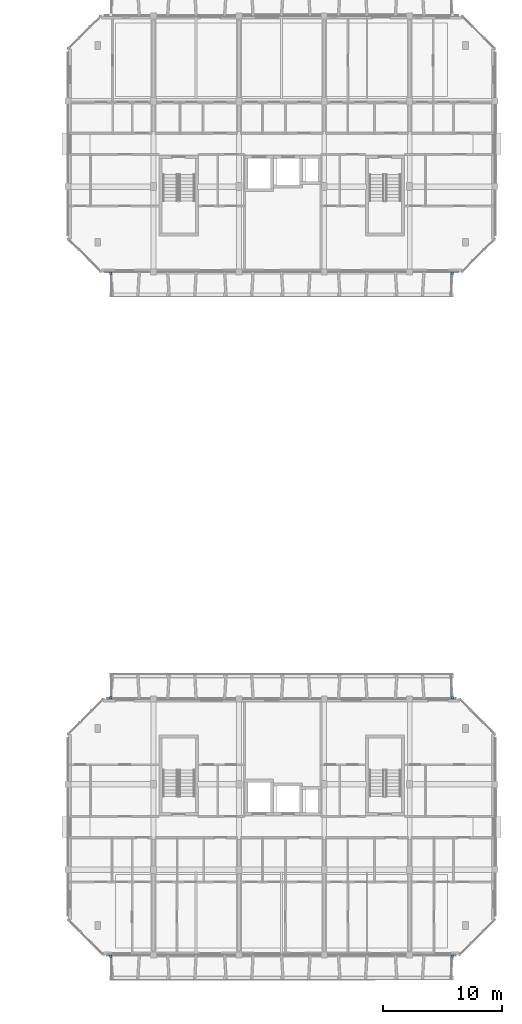
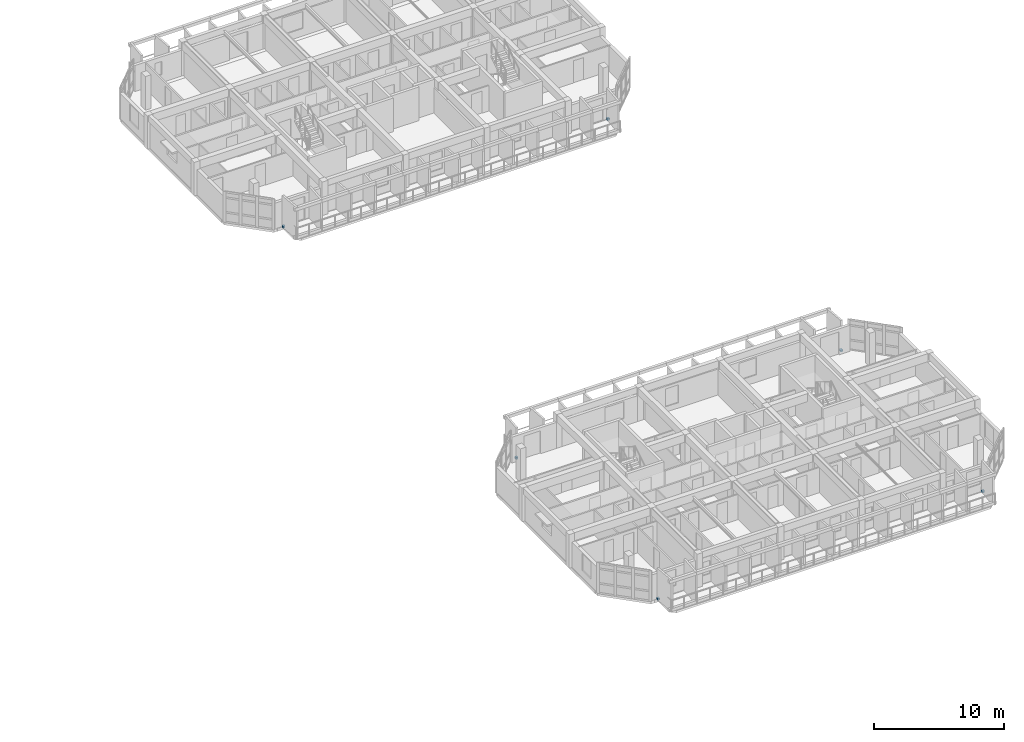
# One storey, part 33 of 45: 6 discrete accessories.
"""IFC4 building model written with IfcOpenShell, lengths in metres."""

from ifc_helpers import new_model, si_unit, direction, frame, origin, origin_2d, place, context, subcontext, project, spatial, rectangle, extrude, material, type_object, element, save


model = new_model("IFC4")

# Units and contexts
model_context = context("Model", 3, precision=1e-05, world=origin(), true_north=direction((0.0, 1.0)))
body_context = subcontext(model_context, "Body", "Model", "MODEL_VIEW")
ifc_project = project(units=[si_unit("LENGTHUNIT", "METRE"), si_unit("AREAUNIT", "SQUARE_METRE"), si_unit("VOLUMEUNIT", "CUBIC_METRE"), si_unit("PLANEANGLEUNIT", "RADIAN"), si_unit("MASSUNIT", "GRAM", prefix="KILO")], contexts=[model_context])

# Site, building, storey
site_placement = place(None, origin())
site = spatial("IfcSite", under=ifc_project, at=site_placement, CompositionType="ELEMENT")
building_placement = place(site_placement, origin())
building = spatial("IfcBuilding", under=site, at=building_placement, Name="Ochrevale Crest", CompositionType="ELEMENT")
storey_placement = place(building_placement, frame((0.0, 0.0, 18.14990234375)))
storey = spatial("IfcBuildingStorey", under=building, at=storey_placement, Name="L05", CompositionType="ELEMENT", Elevation=18.14990234375)

# Discrete accessories
ifc_material = material(Name="Galvanised steel", Category="steel")
discrete_accessory_type = type_object("IfcDiscreteAccessoryType", Name="ACC-BRK-HC", PredefinedType="BRACKET", material=ifc_material)
for number, where, z_axis, x_axis, name in (
    (1, (133.199951171875, 14.300048828125, 0.0), (0.0, 0.0, 1.0), (1.0, 0.0, 0.0), "Block C L05 precast loggia corbel bracket"),
    (2, (162.0, 14.300048828125, 0.0), (0.0, 0.0, 1.0), (1.0, 0.0, 0.0), "Block C L05 precast loggia corbel bracket"),
    (3, (133.199951171875, 36.10009765625, 0.0), (0.0, 0.0, 1.0), (1.0, 0.0, 0.0), "Block C L05 precast loggia corbel bracket"),
    (4, (162.0, 36.10009765625, 0.0), (0.0, 0.0, 1.0), (1.0, 0.0, 0.0), "Block C L05 precast loggia corbel bracket"),
    (5, (133.199951171875, 71.89990234375, 0.0), (0.0, 0.0, 1.0), (1.0, 0.0, 0.0), "Block D L05 precast loggia corbel bracket"),
    (6, (162.0, 71.89990234375, 0.0), (0.0, 0.0, 1.0), (1.0, 0.0, 0.0), "Block D L05 precast loggia corbel bracket"),
):
    element("IfcDiscreteAccessory", number, at=place(storey_placement, frame(where, z_axis=z_axis, x_axis=x_axis)), inside=storey, type_object=discrete_accessory_type, Name=name, PredefinedType="BRACKET", context=body_context, shape_type="SweptSolid", body=[
        extrude(rectangle(XDim=0.179931640625, YDim=0.219970703125, at=origin_2d()), origin(), (0.0, 0.0, 1.0), 0.179931640625),
    ])

save(model, "model.ifc")
